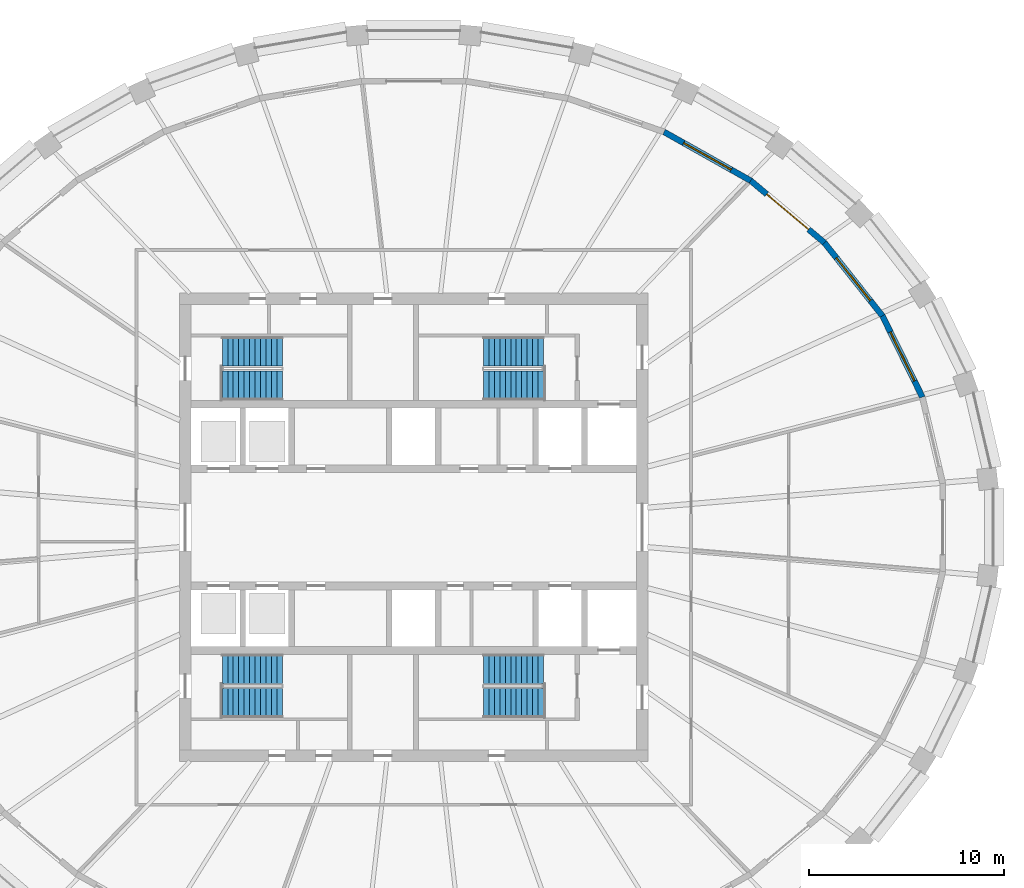
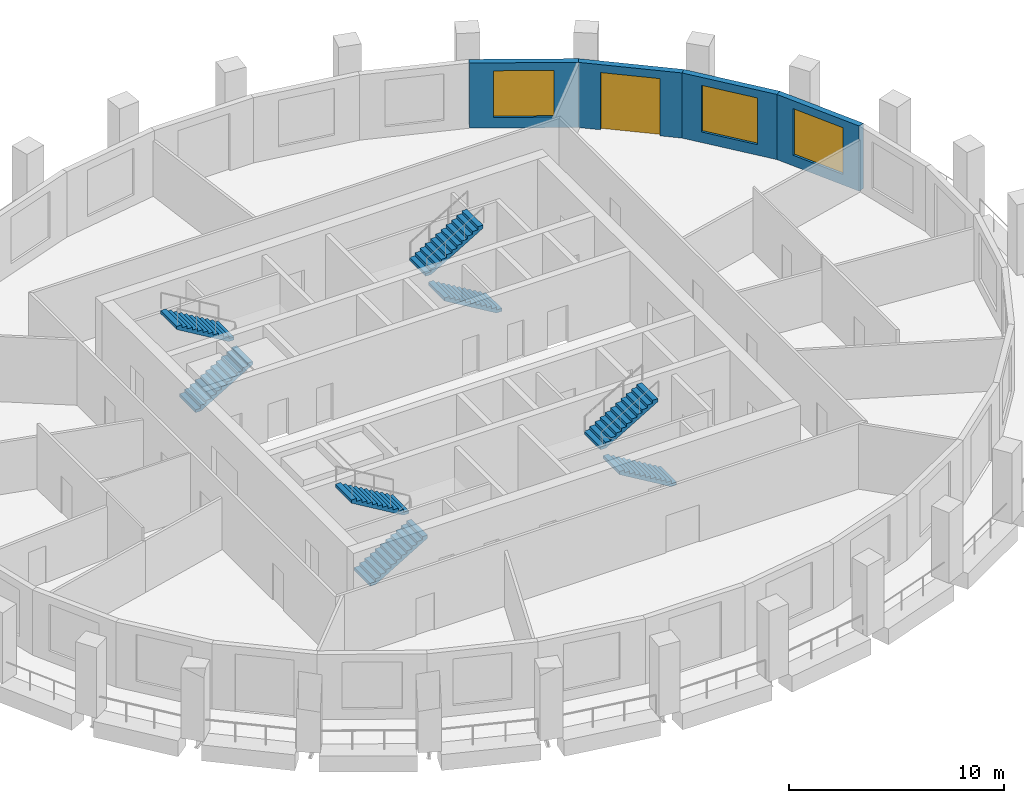
# One storey, part 7 of 10: 8 stair flights, 4 walls, 3 windows, 1 door, 4 openings, 4 elements without a shape of their own.
"""IFC4 building model written with IfcOpenShell, lengths in metres."""

import ifcopenshell
import ifcopenshell.guid

model = None  # the IFC model being written
_history = None  # IfcOwnerHistory: only IFC2X3 demands one
_inside = {}  # id of a spatial element -> (the spatial element, [elements in it])
_under = {}  # id of a project, library or spatial element -> (it, [spatial elements below it])
_declared = {}  # id of a project -> (the project, [libraries it declares])
_typed = {}  # id of a type object -> (the type object, [elements of that type])
_made_of = {}  # id of a material, layer set ... -> (it, [elements and type objects made of it])


def new_model(schema):
    """Start an empty IFC model of exactly this schema.

    Asked for "IFC4X3", IfcOpenShell would pick the latest addendum, in which some entities
    have other attributes; the version numbers below select the first issue.
    IFC2X3 requires an IfcOwnerHistory on every rooted entity: one is made here for all.
    """
    global model, _history
    if schema == "IFC4X3":
        model = ifcopenshell.file(schema_version=(4, 3, 0, 0))
    else:
        model = ifcopenshell.file(schema=schema)
    _inside.clear()
    _under.clear()
    _declared.clear()
    _typed.clear()
    _made_of.clear()
    _history = None
    if model.schema == "IFC2X3":
        org = make("IfcOrganization", Name="unknown")
        user = make(
            "IfcPersonAndOrganization",
            ThePerson=make("IfcPerson", FamilyName="unknown"),
            TheOrganization=org,
        )
        app = make(
            "IfcApplication",
            ApplicationDeveloper=org,
            Version="unknown",
            ApplicationFullName="unknown",
            ApplicationIdentifier="unknown",
        )
        _history = make(
            "IfcOwnerHistory",
            OwningUser=user,
            OwningApplication=app,
            ChangeAction="ADDED",
            CreationDate=0,
        )
    return model


def make(cls, **values):
    """One entity of the class cls with the attributes given. An attribute that is None is left unset."""
    return model.create_entity(
        cls, **{name: value for name, value in values.items() if value is not None}
    )


def rooted(cls, **values):
    """An entity with a GlobalId (a new one), such as an element, a storey or a relation."""
    return make(cls, GlobalId=ifcopenshell.guid.new(), OwnerHistory=_history, **values)


def si_unit(unit_type, name, prefix=None):
    """IfcSIUnit, for example si_unit("LENGTHUNIT", "METRE", prefix="MILLI")."""
    return make("IfcSIUnit", UnitType=unit_type, Prefix=prefix, Name=name)


def assignment(units):
    """IfcUnitAssignment: the units of a project."""
    return None if units is None else make("IfcUnitAssignment", Units=units)


def point(xyz):
    """IfcCartesianPoint."""
    return None if xyz is None else make("IfcCartesianPoint", Coordinates=xyz)


def direction(xyz):
    """IfcDirection."""
    return None if xyz is None else make("IfcDirection", DirectionRatios=xyz)


def frame(location, z_axis=None, x_axis=None):
    """IfcAxis2Placement3D, a coordinate frame: its origin and axes. An axis left out is left unset."""
    return make(
        "IfcAxis2Placement3D",
        Location=point(location),
        Axis=direction(z_axis),
        RefDirection=direction(x_axis),
    )


def frame_2d(location, x_axis=None):
    """IfcAxis2Placement2D, a coordinate frame in the plane: its origin and x axis."""
    return make(
        "IfcAxis2Placement2D", Location=point(location), RefDirection=direction(x_axis)
    )


def origin():
    """The frame at (0, 0, 0) with its axes left unset."""
    return frame((0.0, 0.0, 0.0))


def place(relative_to, where):
    """IfcLocalPlacement: puts the frame where relative to a parent placement (None: the world)."""
    return make(
        "IfcLocalPlacement", PlacementRelTo=relative_to, RelativePlacement=where
    )


def context(
    kind, dimensions, precision=None, world=None, true_north=None, identifier=None
):
    """IfcGeometricRepresentationContext, for example the 3D "Model" context."""
    return make(
        "IfcGeometricRepresentationContext",
        ContextIdentifier=identifier,
        ContextType=kind,
        CoordinateSpaceDimension=dimensions,
        Precision=precision,
        WorldCoordinateSystem=world,
        TrueNorth=true_north,
    )


def subcontext(parent, identifier, kind, view, scale=None):
    """IfcGeometricRepresentationSubContext, for example "Body" below "Model"."""
    return make(
        "IfcGeometricRepresentationSubContext",
        ContextIdentifier=identifier,
        ContextType=kind,
        ParentContext=parent,
        TargetScale=scale,
        TargetView=view,
    )


def project(units=None, contexts=None):
    """IfcProject with its units and contexts."""
    return rooted(
        "IfcProject",
        Name="project",
        RepresentationContexts=contexts,
        UnitsInContext=assignment(units),
    )


def spatial(cls, under=None, at=None, **own):
    """A site, building, storey or space (cls), placed at a placement, below another one or the project."""
    s = rooted(cls, ObjectPlacement=at, **own)
    if under is not None:
        _under.setdefault(under.id(), (under, []))[1].append(s)
    return s


def polyline(points):
    """IfcPolyline through the points."""
    return make("IfcPolyline", Points=[point(p) for p in points])


def profile(cls, at=None, kind="AREA", **sizes):
    """A parametric profile (cls). Its sizes go by their IFC names, for example OverallWidth=200.0."""
    return make(cls, ProfileType=kind, Position=at, **sizes)


def rectangle(**sizes):
    """IfcRectangleProfileDef."""
    return profile("IfcRectangleProfileDef", **sizes)


def outline(outer, holes=None, kind="AREA"):
    """IfcArbitraryClosedProfileDef: a profile drawn as a closed curve; with holes, ...WithVoids."""
    if holes is None:
        return make("IfcArbitraryClosedProfileDef", ProfileType=kind, OuterCurve=outer)
    return make(
        "IfcArbitraryProfileDefWithVoids",
        ProfileType=kind,
        OuterCurve=outer,
        InnerCurves=holes,
    )


def extrude(swept, where, along, depth):
    """IfcExtrudedAreaSolid: the profile swept, set in the frame where, extruded along a direction by depth."""
    return make(
        "IfcExtrudedAreaSolid",
        SweptArea=swept,
        Position=where,
        ExtrudedDirection=direction(along),
        Depth=depth,
    )


def shape(context_of_items, identifier, shape_type, items):
    """IfcShapeRepresentation: the items that make up one representation, for example the "Body"."""
    return make(
        "IfcShapeRepresentation",
        ContextOfItems=context_of_items,
        RepresentationIdentifier=identifier,
        RepresentationType=shape_type,
        Items=items,
    )


def material(Name=None, Category=None):
    """IfcMaterial."""
    return make("IfcMaterial", Name=Name, Category=Category)


def layer(
    of_material, thickness, ventilated=None, Name=None, Category=None, Priority=None
):
    """IfcMaterialLayer: one layer of a wall or slab, of a material (None: an air gap)."""
    return make(
        "IfcMaterialLayer",
        Material=of_material,
        LayerThickness=thickness,
        IsVentilated=ventilated,
        Name=Name,
        Category=Category,
        Priority=Priority,
    )


def layer_set(layers, Name=None):
    """IfcMaterialLayerSet."""
    return make("IfcMaterialLayerSet", MaterialLayers=layers, LayerSetName=Name)


def made_of(thing, what):
    """Note that an element or type object is made of a material, layer set ...; save() writes the relation."""
    if what is not None:
        _made_of.setdefault(what.id(), (what, []))[1].append(thing)
    return thing


def type_object(cls, material=None, **own):
    """A type object (cls), such as IfcWallType, which elements share."""
    return made_of(rooted(cls, **own), material)


def element(
    cls,
    number,
    at=None,
    inside=None,
    cuts=None,
    type_object=None,
    material=None,
    context=None,
    identifier="Body",
    shape_type=None,
    held_by="IfcProductDefinitionShape",
    body=None,
    shapes=None,
    **own,
):
    """One element of the class cls, such as IfcWall. Its Tag is "e" and its number.

    at: its placement. inside: the storey or other place that contains it. cuts: it is an
    opening in that element (IfcRelVoidsElement). A single representation is given by context,
    identifier, shape_type and body (its items); several are given by shapes. held_by: the class
    of the entity that holds the representations. save() writes the other relations.
    """
    e = rooted(cls, Tag="e%d" % number, ObjectPlacement=at, **own)
    if body is not None:
        shapes = [shape(context, identifier, shape_type, body)]
    if shapes is not None:
        e.Representation = make(held_by, Representations=shapes)
    if inside is not None:
        _inside.setdefault(inside.id(), (inside, []))[1].append(e)
    if cuts is not None:
        rooted(
            "IfcRelVoidsElement", RelatingBuildingElement=cuts, RelatedOpeningElement=e
        )
    if type_object is not None:
        _typed.setdefault(type_object.id(), (type_object, []))[1].append(e)
    return made_of(e, material)


def fill(opening, filler):
    """IfcRelFillsElement: the door or window that sits in an opening."""
    return rooted(
        "IfcRelFillsElement",
        RelatingOpeningElement=opening,
        RelatedBuildingElement=filler,
    )


def aggregate(whole, parts):
    """IfcRelAggregates: a whole, such as a stair, and the parts it consists of."""
    return rooted("IfcRelAggregates", RelatingObject=whole, RelatedObjects=parts)


def save(model, path):
    """Write the relations noted so far, then the file.

    IfcRelAggregates (storeys below a building ...), IfcRelContainedInSpatialStructure (elements
    in a storey), IfcRelDefinesByType, IfcRelAssociatesMaterial and IfcRelDeclares: one each for
    every whole, place, type object, material and project.
    """
    for whole, parts in _under.values():
        aggregate(whole, parts)
    for where, things in _inside.values():
        rooted(
            "IfcRelContainedInSpatialStructure",
            RelatedElements=things,
            RelatingStructure=where,
        )
    for kind, things in _typed.values():
        rooted("IfcRelDefinesByType", RelatedObjects=things, RelatingType=kind)
    for what, things in _made_of.values():
        rooted("IfcRelAssociatesMaterial", RelatedObjects=things, RelatingMaterial=what)
    for by, libraries in _declared.values():
        rooted("IfcRelDeclares", RelatingContext=by, RelatedDefinitions=libraries)
    model.write(path)


model = new_model("IFC4")

# Units and contexts
model_context = context("Model", 3, precision=1e-05, world=origin(), true_north=direction((0.0, 1.0)))
body_context = subcontext(model_context, "Body", "Model", "MODEL_VIEW")
ifc_project = project(units=[si_unit("LENGTHUNIT", "METRE"), si_unit("AREAUNIT", "SQUARE_METRE"), si_unit("VOLUMEUNIT", "CUBIC_METRE"), si_unit("PLANEANGLEUNIT", "RADIAN"), si_unit("MASSUNIT", "GRAM", prefix="KILO")], contexts=[model_context])

# Site, building, storey
site_placement = place(None, origin())
site = spatial("IfcSite", under=ifc_project, at=site_placement, CompositionType="ELEMENT")
building_placement = place(site_placement, origin())
building = spatial("IfcBuilding", under=site, at=building_placement, Name="Halqa Exchange Tower", CompositionType="ELEMENT")
storey_placement = place(building_placement, frame((0.0, 0.0, 276.300048828125)))
storey = spatial("IfcBuildingStorey", under=building, at=storey_placement, Name="L64", CompositionType="ELEMENT", Elevation=276.300048828125)

# Wall, opening, window
ifc_material_1 = material(Name="Limestone cladding", Category="masonry")
ifc_layer_1 = layer(ifc_material_1, 0.0400390625)
ifc_material_2 = material(Name="Ventilated cavity")
ifc_layer_2 = layer(ifc_material_2, 0.030029296875, ventilated=True)
ifc_material_3 = material(Name="Mineral wool insulation")
ifc_layer_3 = layer(ifc_material_3, 0.10009765625)
ifc_material_4 = material(Name="Concrete C30/37", Category="concrete")
ifc_layer_4 = layer(ifc_material_4, 0.10009765625)
ifc_material_5 = material(Name="Internal plaster")
ifc_layer_5 = layer(ifc_material_5, 0.030029296875)
ifc_layer_set = layer_set([ifc_layer_1, ifc_layer_2, ifc_layer_3, ifc_layer_4, ifc_layer_5], Name="Stone-faced insulated wall 300")
wall_type = type_object("IfcWallType", Name="Stone-faced insulated wall 300", PredefinedType="STANDARD", material=ifc_layer_set)
wall_1_placement = place(storey_placement, frame((26.044921875, 6.669921875, 0.0), z_axis=(0.0, 0.0, 1.0), x_axis=(-0.441261940724, 0.897378348117, 0.0)))
wall_1 = element("IfcWall", 1, at=wall_1_placement, inside=storey, type_object=wall_type, Name="Glass-line wall 2", PredefinedType="STANDARD", context=body_context, shape_type="SweptSolid", body=[
    extrude(outline(polyline([(-0.016845703125, -0.14990234375), (4.65087890625, -0.14990234375), (4.61865234375, 0.14990234375), (0.016845703125, 0.14990234375), (-0.016845703125, -0.14990234375)])), origin(), (0.0, 0.0, 1.0), 3.699951171875),
])
opening_1_placement = place(wall_1_placement, frame((0.91748046875, 0.0, 0.60009765625)))
opening_1 = element("IfcOpeningElement", 2, at=opening_1_placement, cuts=wall_1, Name="Opening W-F4-02", PredefinedType="OPENING", context=body_context, shape_type="SweptSolid", body=[
    extrude(rectangle(XDim=2.800048828125, YDim=2.64990234375, at=frame_2d((1.39990234375, 1.324951171875))), frame((0.0, 0.162109375, 0.0), z_axis=(0.0, -1.0, 0.0), x_axis=(1.0, 0.0, 0.0)), (0.0, 0.0, 1.0), 0.323974609375),
])
ifc_material_6 = material(Name="Clear low-emissivity glass in aluminium frame", Category="aluminium")
window_type = type_object("IfcWindowType", Name="Fixed clear glazed window 2800 x 2650", PartitioningType="DOUBLE_PANEL_VERTICAL", PredefinedType="WINDOW", material=ifc_material_6)
window_1_placement = place(opening_1_placement, origin())
window_1 = element("IfcWindow", 3, at=window_1_placement, inside=storey, type_object=window_type, Name="Window 4", OverallHeight=2.64990234375, OverallWidth=2.800048828125, PartitioningType="DOUBLE_PANEL_VERTICAL", PredefinedType="WINDOW", context=body_context, shape_type="SweptSolid", body=[
    extrude(rectangle(XDim=2.800048828125, YDim=2.64990234375, at=frame_2d((1.39990234375, 1.324951171875))), frame((0.0, 0.030029296875, 0.0), z_axis=(0.0, -1.0, 0.0), x_axis=(1.0, 0.0, 0.0)), (0.0, 0.0, 1.0), 0.06005859375),
])
fill(opening_1, window_1)

wall_2_placement = place(storey_placement, frame((23.999755859375, 10.8291015625, 0.0), z_axis=(0.0, 0.0, 1.0), x_axis=(-0.621434755851, 0.783465917715, 0.0)))
wall_2 = element("IfcWall", 4, at=wall_2_placement, inside=storey, type_object=wall_type, Name="Glass-line wall 3", PredefinedType="STANDARD", context=body_context, shape_type="SweptSolid", body=[
    extrude(outline(polyline([(-0.01611328125, -0.14990234375), (4.7900390625, -0.14990234375), (4.759765625, 0.14990234375), (0.01611328125, 0.14990234375), (-0.01611328125, -0.14990234375)])), origin(), (0.0, 0.0, 1.0), 3.699951171875),
])
opening_2_placement = place(wall_2_placement, frame((0.9873046875, 0.0, 0.60009765625)))
opening_2 = element("IfcOpeningElement", 5, at=opening_2_placement, cuts=wall_2, Name="Opening W-F4-03", PredefinedType="OPENING", context=body_context, shape_type="SweptSolid", body=[
    extrude(rectangle(XDim=2.800048828125, YDim=2.64990234375, at=frame_2d((1.39990234375, 1.324951171875))), frame((0.0, 0.162109375, 0.0), z_axis=(0.0, -1.0, 0.0), x_axis=(1.0, 0.0, 0.0)), (0.0, 0.0, 1.0), 0.323974609375),
])
window_2_placement = place(opening_2_placement, origin())
window_2 = element("IfcWindow", 6, at=window_2_placement, inside=storey, type_object=window_type, Name="Window 4", OverallHeight=2.64990234375, OverallWidth=2.800048828125, PartitioningType="DOUBLE_PANEL_VERTICAL", PredefinedType="WINDOW", context=body_context, shape_type="SweptSolid", body=[
    extrude(rectangle(XDim=2.800048828125, YDim=2.64990234375, at=frame_2d((1.39990234375, 1.324951171875))), frame((0.0, 0.030029296875, 0.0), z_axis=(0.0, -1.0, 0.0), x_axis=(1.0, 0.0, 0.0)), (0.0, 0.0, 1.0), 0.06005859375),
])
fill(opening_2, window_2)

# Wall, opening, door
wall_3_placement = place(storey_placement, frame((21.032470703125, 14.570068359375, 0.0), z_axis=(0.0, 0.0, 1.0), x_axis=(-0.764832940795, 0.644228664897, 0.0)))
wall_3 = element("IfcWall", 7, at=wall_3_placement, inside=storey, type_object=wall_type, Name="Glass-line wall 4", PredefinedType="STANDARD", context=body_context, shape_type="SweptSolid", body=[
    extrude(outline(polyline([(-0.01513671875, -0.14990234375), (4.949462890625, -0.14990234375), (4.921142578125, 0.14990234375), (0.01513671875, 0.14990234375), (-0.01513671875, -0.14990234375)])), origin(), (0.0, 0.0, 1.0), 3.699951171875),
])
opening_3_placement = place(wall_3_placement, frame((1.067626953125, 0.0, 0.0)))
opening_3 = element("IfcOpeningElement", 8, at=opening_3_placement, cuts=wall_3, Name="Opening LG-F4-01", PredefinedType="OPENING", context=body_context, shape_type="SweptSolid", body=[
    extrude(rectangle(XDim=2.800048828125, YDim=3.25, at=frame_2d((1.39990234375, 1.625))), frame((0.0, 0.162109375, 0.0), z_axis=(0.0, -1.0, 0.0), x_axis=(1.0, 0.0, 0.0)), (0.0, 0.0, 1.0), 0.323974609375),
])
door_type = type_object("IfcDoorType", Name="Glazed sliding loggia door 2800 x 3250", OperationType="DOUBLE_DOOR_SLIDING", PredefinedType="DOOR", material=ifc_material_6)
door_placement = place(opening_3_placement, origin())
door = element("IfcDoor", 9, at=door_placement, inside=storey, type_object=door_type, Name="Loggia door 1", OperationType="DOUBLE_DOOR_SLIDING", OverallHeight=3.25, OverallWidth=2.800048828125, PredefinedType="DOOR", context=body_context, shape_type="SweptSolid", body=[
    extrude(rectangle(XDim=2.800048828125, YDim=3.25, at=frame_2d((1.39990234375, 1.625))), frame((0.0, 0.02490234375, 0.0), z_axis=(0.0, -1.0, 0.0), x_axis=(1.0, 0.0, 0.0)), (0.0, 0.0, 1.0), 0.050048828125),
])
fill(opening_3, door)

# Wall, opening, window
wall_4_placement = place(storey_placement, frame((17.2578125, 17.74951171875, 0.0), z_axis=(0.0, 0.0, 1.0), x_axis=(-0.871433320402, 0.490513983585, 0.0)))
wall_4 = element("IfcWall", 10, at=wall_4_placement, inside=storey, type_object=wall_type, Name="Glass-line wall 5", PredefinedType="STANDARD", context=body_context, shape_type="SweptSolid", body=[
    extrude(outline(polyline([(-0.01416015625, -0.14990234375), (5.103759765625, -0.14990234375), (5.076904296875, 0.14990234375), (0.01416015625, 0.14990234375), (-0.01416015625, -0.14990234375)])), origin(), (0.0, 0.0, 1.0), 3.699951171875),
])
opening_4_placement = place(wall_4_placement, frame((1.14501953125, 0.0, 0.60009765625)))
opening_4 = element("IfcOpeningElement", 11, at=opening_4_placement, cuts=wall_4, Name="Opening W-F4-05", PredefinedType="OPENING", context=body_context, shape_type="SweptSolid", body=[
    extrude(rectangle(XDim=2.800048828125, YDim=2.64990234375, at=frame_2d((1.39990234375, 1.324951171875))), frame((0.0, 0.162109375, 0.0), z_axis=(0.0, -1.0, 0.0), x_axis=(1.0, 0.0, 0.0)), (0.0, 0.0, 1.0), 0.323974609375),
])
window_3_placement = place(opening_4_placement, origin())
window_3 = element("IfcWindow", 12, at=window_3_placement, inside=storey, type_object=window_type, Name="Window 4", OverallHeight=2.64990234375, OverallWidth=2.800048828125, PartitioningType="DOUBLE_PANEL_VERTICAL", PredefinedType="WINDOW", context=body_context, shape_type="SweptSolid", body=[
    extrude(rectangle(XDim=2.800048828125, YDim=2.64990234375, at=frame_2d((1.39990234375, 1.324951171875))), frame((0.0, 0.030029296875, 0.0), z_axis=(0.0, -1.0, 0.0), x_axis=(1.0, 0.0, 0.0)), (0.0, 0.0, 1.0), 0.06005859375),
])
fill(opening_4, window_3)

# Stair, stair flights
stair_type = type_object("IfcStairType", Name="Exit stair 1500 wide", PredefinedType="HALF_TURN_STAIR", material=ifc_material_4)
stair_1_placement = place(storey_placement, origin())
stair_1 = element("IfcStair", 13, at=stair_1_placement, inside=storey, type_object=stair_type, Name="Exit stair ST1", PredefinedType="HALF_TURN_STAIR")
stair_flight_type = type_object("IfcStairFlightType", Name="Stair flight 1500 wide", PredefinedType="STRAIGHT", material=ifc_material_4)
stair_flight_1_placement = place(storey_placement, frame((-9.800048828125, 7.25, 0.0), z_axis=(0.0, 0.0, 1.0), x_axis=(1.0, 0.0, 0.0)))
stair_flight_1 = element("IfcStairFlight", 14, at=stair_flight_1_placement, type_object=stair_flight_type, Name="ST1 flight 1", NumberOfRisers=12, NumberOfTreads=11, PredefinedType="STRAIGHT", RiserHeight=0.166666667, TreadLength=0.28, context=body_context, shape_type="SweptSolid", body=[
    extrude(outline(polyline([(0.0, 0.0), (0.0, 0.166748046875), (0.280029296875, 0.166748046875), (0.280029296875, 0.333251953125), (0.56005859375, 0.333251953125), (0.56005859375, 0.5), (0.840087890625, 0.5), (0.840087890625, 0.666748046875), (1.1201171875, 0.666748046875), (1.1201171875, 0.833251953125), (1.39990234375, 0.833251953125), (1.39990234375, 1.0), (1.679931640625, 1.0), (1.679931640625, 1.166748046875), (1.9599609375, 1.166748046875), (1.9599609375, 1.333251953125), (2.239990234375, 1.333251953125), (2.239990234375, 1.5), (2.52001953125, 1.5), (2.52001953125, 1.666748046875), (2.800048828125, 1.666748046875), (2.800048828125, 1.833251953125), (3.080078125, 1.833251953125), (3.080078125, 2.0), (3.080078125, 1.658935546875), (0.29296875, 0.0), (0.0, 0.0)])), frame((0.0, 0.75, 0.0), z_axis=(0.0, -1.0, 0.0), x_axis=(1.0, 0.0, 0.0)), (0.0, 0.0, 1.0), 1.5),
])
stair_flight_2_placement = place(storey_placement, frame((-6.719970703125, 9.0, 2.0), z_axis=(0.0, 0.0, 1.0), x_axis=(-1.0, 0.0, 0.0)))
stair_flight_2 = element("IfcStairFlight", 15, at=stair_flight_2_placement, type_object=stair_flight_type, Name="ST1 flight 2", NumberOfRisers=12, NumberOfTreads=11, PredefinedType="STRAIGHT", RiserHeight=0.166666667, TreadLength=0.28, context=body_context, shape_type="SweptSolid", body=[
    extrude(outline(polyline([(0.0, 0.0), (0.0, 0.166748046875), (0.280029296875, 0.166748046875), (0.280029296875, 0.333251953125), (0.56005859375, 0.333251953125), (0.56005859375, 0.5), (0.840087890625, 0.5), (0.840087890625, 0.666748046875), (1.1201171875, 0.666748046875), (1.1201171875, 0.833251953125), (1.39990234375, 0.833251953125), (1.39990234375, 1.0), (1.679931640625, 1.0), (1.679931640625, 1.166748046875), (1.9599609375, 1.166748046875), (1.9599609375, 1.333251953125), (2.239990234375, 1.333251953125), (2.239990234375, 1.5), (2.52001953125, 1.5), (2.52001953125, 1.666748046875), (2.800048828125, 1.666748046875), (2.800048828125, 1.833251953125), (3.080078125, 1.833251953125), (3.080078125, 2.0), (3.080078125, 1.658935546875), (0.29296875, 0.0), (0.0, 0.0)])), frame((0.0, 0.75, 0.0), z_axis=(0.0, -1.0, 0.0), x_axis=(1.0, 0.0, 0.0)), (0.0, 0.0, 1.0), 1.5),
])
aggregate(stair_1, [stair_flight_1, stair_flight_2])

stair_2_placement = place(storey_placement, origin())
stair_2 = element("IfcStair", 16, at=stair_2_placement, inside=storey, type_object=stair_type, Name="Exit stair ST2", PredefinedType="HALF_TURN_STAIR")
stair_flight_3_placement = place(storey_placement, frame((6.64990234375, 7.25, 0.0), z_axis=(0.0, 0.0, 1.0), x_axis=(-1.0, 0.0, 0.0)))
stair_flight_3 = element("IfcStairFlight", 17, at=stair_flight_3_placement, type_object=stair_flight_type, Name="ST2 flight 1", NumberOfRisers=12, NumberOfTreads=11, PredefinedType="STRAIGHT", RiserHeight=0.166666667, TreadLength=0.28, context=body_context, shape_type="SweptSolid", body=[
    extrude(outline(polyline([(0.0, 0.0), (0.0, 0.166748046875), (0.280029296875, 0.166748046875), (0.280029296875, 0.333251953125), (0.56005859375, 0.333251953125), (0.56005859375, 0.5), (0.840087890625, 0.5), (0.840087890625, 0.666748046875), (1.1201171875, 0.666748046875), (1.1201171875, 0.833251953125), (1.39990234375, 0.833251953125), (1.39990234375, 1.0), (1.679931640625, 1.0), (1.679931640625, 1.166748046875), (1.9599609375, 1.166748046875), (1.9599609375, 1.333251953125), (2.239990234375, 1.333251953125), (2.239990234375, 1.5), (2.52001953125, 1.5), (2.52001953125, 1.666748046875), (2.800048828125, 1.666748046875), (2.800048828125, 1.833251953125), (3.080078125, 1.833251953125), (3.080078125, 2.0), (3.080078125, 1.658935546875), (0.29296875, 0.0), (0.0, 0.0)])), frame((0.0, 0.75, 0.0), z_axis=(0.0, -1.0, 0.0), x_axis=(1.0, 0.0, 0.0)), (0.0, 0.0, 1.0), 1.5),
])
stair_flight_4_placement = place(storey_placement, frame((3.570068359375, 9.0, 2.0), z_axis=(0.0, 0.0, 1.0), x_axis=(1.0, 0.0, 0.0)))
stair_flight_4 = element("IfcStairFlight", 18, at=stair_flight_4_placement, type_object=stair_flight_type, Name="ST2 flight 2", NumberOfRisers=12, NumberOfTreads=11, PredefinedType="STRAIGHT", RiserHeight=0.166666667, TreadLength=0.28, context=body_context, shape_type="SweptSolid", body=[
    extrude(outline(polyline([(0.0, 0.0), (0.0, 0.166748046875), (0.280029296875, 0.166748046875), (0.280029296875, 0.333251953125), (0.56005859375, 0.333251953125), (0.56005859375, 0.5), (0.840087890625, 0.5), (0.840087890625, 0.666748046875), (1.1201171875, 0.666748046875), (1.1201171875, 0.833251953125), (1.39990234375, 0.833251953125), (1.39990234375, 1.0), (1.679931640625, 1.0), (1.679931640625, 1.166748046875), (1.9599609375, 1.166748046875), (1.9599609375, 1.333251953125), (2.239990234375, 1.333251953125), (2.239990234375, 1.5), (2.52001953125, 1.5), (2.52001953125, 1.666748046875), (2.800048828125, 1.666748046875), (2.800048828125, 1.833251953125), (3.080078125, 1.833251953125), (3.080078125, 2.0), (3.080078125, 1.658935546875), (0.29296875, 0.0), (0.0, 0.0)])), frame((0.0, 0.75, 0.0), z_axis=(0.0, -1.0, 0.0), x_axis=(1.0, 0.0, 0.0)), (0.0, 0.0, 1.0), 1.5),
])
aggregate(stair_2, [stair_flight_3, stair_flight_4])

stair_3_placement = place(storey_placement, origin())
stair_3 = element("IfcStair", 19, at=stair_3_placement, inside=storey, type_object=stair_type, Name="Exit stair ST3", PredefinedType="HALF_TURN_STAIR")
stair_flight_5_placement = place(storey_placement, frame((-9.800048828125, -9.0, 0.0), z_axis=(0.0, 0.0, 1.0), x_axis=(1.0, 0.0, 0.0)))
stair_flight_5 = element("IfcStairFlight", 20, at=stair_flight_5_placement, type_object=stair_flight_type, Name="ST3 flight 1", NumberOfRisers=12, NumberOfTreads=11, PredefinedType="STRAIGHT", RiserHeight=0.166666667, TreadLength=0.28, context=body_context, shape_type="SweptSolid", body=[
    extrude(outline(polyline([(0.0, 0.0), (0.0, 0.166748046875), (0.280029296875, 0.166748046875), (0.280029296875, 0.333251953125), (0.56005859375, 0.333251953125), (0.56005859375, 0.5), (0.840087890625, 0.5), (0.840087890625, 0.666748046875), (1.1201171875, 0.666748046875), (1.1201171875, 0.833251953125), (1.39990234375, 0.833251953125), (1.39990234375, 1.0), (1.679931640625, 1.0), (1.679931640625, 1.166748046875), (1.9599609375, 1.166748046875), (1.9599609375, 1.333251953125), (2.239990234375, 1.333251953125), (2.239990234375, 1.5), (2.52001953125, 1.5), (2.52001953125, 1.666748046875), (2.800048828125, 1.666748046875), (2.800048828125, 1.833251953125), (3.080078125, 1.833251953125), (3.080078125, 2.0), (3.080078125, 1.658935546875), (0.29296875, 0.0), (0.0, 0.0)])), frame((0.0, 0.75, 0.0), z_axis=(0.0, -1.0, 0.0), x_axis=(1.0, 0.0, 0.0)), (0.0, 0.0, 1.0), 1.5),
])
stair_flight_6_placement = place(storey_placement, frame((-6.719970703125, -7.25, 2.0), z_axis=(0.0, 0.0, 1.0), x_axis=(-1.0, 0.0, 0.0)))
stair_flight_6 = element("IfcStairFlight", 21, at=stair_flight_6_placement, type_object=stair_flight_type, Name="ST3 flight 2", NumberOfRisers=12, NumberOfTreads=11, PredefinedType="STRAIGHT", RiserHeight=0.166666667, TreadLength=0.28, context=body_context, shape_type="SweptSolid", body=[
    extrude(outline(polyline([(0.0, 0.0), (0.0, 0.166748046875), (0.280029296875, 0.166748046875), (0.280029296875, 0.333251953125), (0.56005859375, 0.333251953125), (0.56005859375, 0.5), (0.840087890625, 0.5), (0.840087890625, 0.666748046875), (1.1201171875, 0.666748046875), (1.1201171875, 0.833251953125), (1.39990234375, 0.833251953125), (1.39990234375, 1.0), (1.679931640625, 1.0), (1.679931640625, 1.166748046875), (1.9599609375, 1.166748046875), (1.9599609375, 1.333251953125), (2.239990234375, 1.333251953125), (2.239990234375, 1.5), (2.52001953125, 1.5), (2.52001953125, 1.666748046875), (2.800048828125, 1.666748046875), (2.800048828125, 1.833251953125), (3.080078125, 1.833251953125), (3.080078125, 2.0), (3.080078125, 1.658935546875), (0.29296875, 0.0), (0.0, 0.0)])), frame((0.0, 0.75, 0.0), z_axis=(0.0, -1.0, 0.0), x_axis=(1.0, 0.0, 0.0)), (0.0, 0.0, 1.0), 1.5),
])
aggregate(stair_3, [stair_flight_5, stair_flight_6])

stair_4_placement = place(storey_placement, origin())
stair_4 = element("IfcStair", 22, at=stair_4_placement, inside=storey, type_object=stair_type, Name="Exit stair ST4", PredefinedType="HALF_TURN_STAIR")
stair_flight_7_placement = place(storey_placement, frame((6.64990234375, -9.0, 0.0), z_axis=(0.0, 0.0, 1.0), x_axis=(-1.0, 0.0, 0.0)))
stair_flight_7 = element("IfcStairFlight", 23, at=stair_flight_7_placement, type_object=stair_flight_type, Name="ST4 flight 1", NumberOfRisers=12, NumberOfTreads=11, PredefinedType="STRAIGHT", RiserHeight=0.166666667, TreadLength=0.28, context=body_context, shape_type="SweptSolid", body=[
    extrude(outline(polyline([(0.0, 0.0), (0.0, 0.166748046875), (0.280029296875, 0.166748046875), (0.280029296875, 0.333251953125), (0.56005859375, 0.333251953125), (0.56005859375, 0.5), (0.840087890625, 0.5), (0.840087890625, 0.666748046875), (1.1201171875, 0.666748046875), (1.1201171875, 0.833251953125), (1.39990234375, 0.833251953125), (1.39990234375, 1.0), (1.679931640625, 1.0), (1.679931640625, 1.166748046875), (1.9599609375, 1.166748046875), (1.9599609375, 1.333251953125), (2.239990234375, 1.333251953125), (2.239990234375, 1.5), (2.52001953125, 1.5), (2.52001953125, 1.666748046875), (2.800048828125, 1.666748046875), (2.800048828125, 1.833251953125), (3.080078125, 1.833251953125), (3.080078125, 2.0), (3.080078125, 1.658935546875), (0.29296875, 0.0), (0.0, 0.0)])), frame((0.0, 0.75, 0.0), z_axis=(0.0, -1.0, 0.0), x_axis=(1.0, 0.0, 0.0)), (0.0, 0.0, 1.0), 1.5),
])
stair_flight_8_placement = place(storey_placement, frame((3.570068359375, -7.25, 2.0), z_axis=(0.0, 0.0, 1.0), x_axis=(1.0, 0.0, 0.0)))
stair_flight_8 = element("IfcStairFlight", 24, at=stair_flight_8_placement, type_object=stair_flight_type, Name="ST4 flight 2", NumberOfRisers=12, NumberOfTreads=11, PredefinedType="STRAIGHT", RiserHeight=0.166666667, TreadLength=0.28, context=body_context, shape_type="SweptSolid", body=[
    extrude(outline(polyline([(0.0, 0.0), (0.0, 0.166748046875), (0.280029296875, 0.166748046875), (0.280029296875, 0.333251953125), (0.56005859375, 0.333251953125), (0.56005859375, 0.5), (0.840087890625, 0.5), (0.840087890625, 0.666748046875), (1.1201171875, 0.666748046875), (1.1201171875, 0.833251953125), (1.39990234375, 0.833251953125), (1.39990234375, 1.0), (1.679931640625, 1.0), (1.679931640625, 1.166748046875), (1.9599609375, 1.166748046875), (1.9599609375, 1.333251953125), (2.239990234375, 1.333251953125), (2.239990234375, 1.5), (2.52001953125, 1.5), (2.52001953125, 1.666748046875), (2.800048828125, 1.666748046875), (2.800048828125, 1.833251953125), (3.080078125, 1.833251953125), (3.080078125, 2.0), (3.080078125, 1.658935546875), (0.29296875, 0.0), (0.0, 0.0)])), frame((0.0, 0.75, 0.0), z_axis=(0.0, -1.0, 0.0), x_axis=(1.0, 0.0, 0.0)), (0.0, 0.0, 1.0), 1.5),
])
aggregate(stair_4, [stair_flight_7, stair_flight_8])

save(model, "model.ifc")
